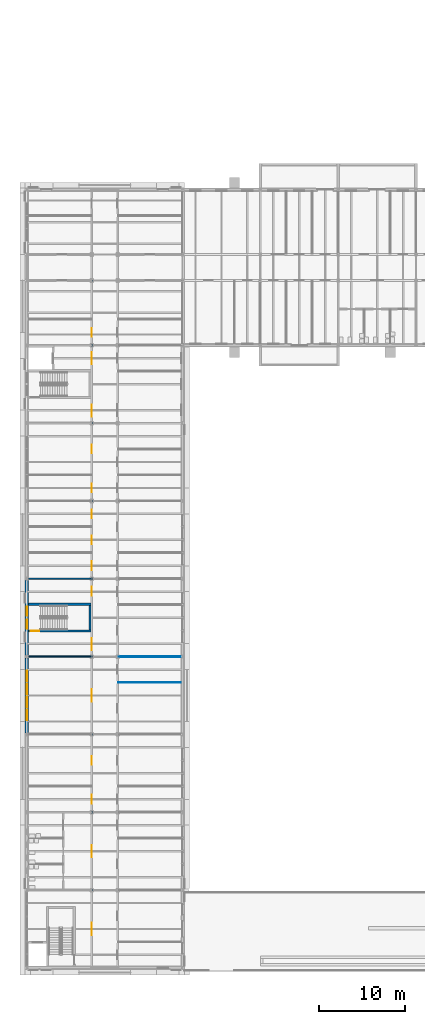
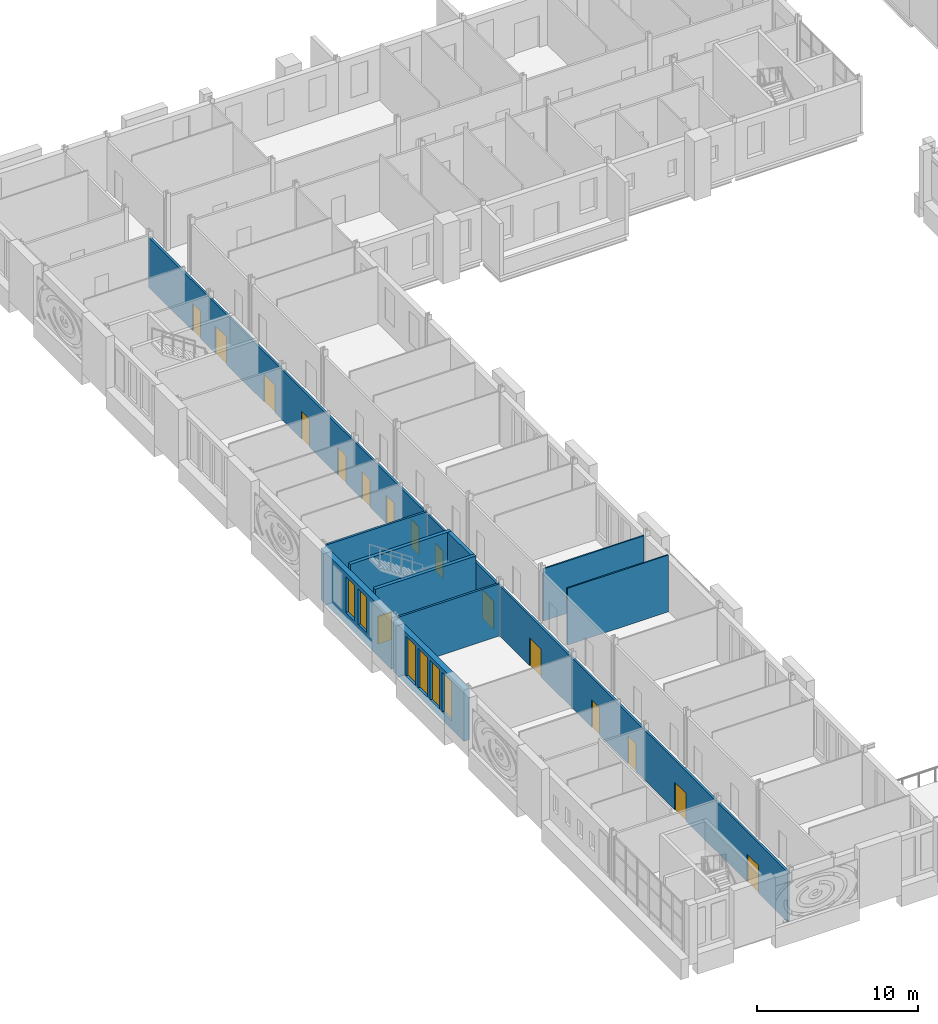
# One storey, part 71 of 134: 16 doors, 10 walls, 6 windows, 22 openings.
"""IFC4 building model written with IfcOpenShell, lengths in metres."""

from ifc_helpers import new_model, si_unit, direction, frame, frame_2d, origin, place, context, subcontext, project, spatial, rectangle, extrude, material, layer, layer_set, type_object, element, fill, save


model = new_model("IFC4")

# Units and contexts
model_context = context("Model", 3, precision=1e-05, world=origin(), true_north=direction((0.0, 1.0)))
body_context = subcontext(model_context, "Body", "Model", "MODEL_VIEW")
ifc_project = project(units=[si_unit("LENGTHUNIT", "METRE"), si_unit("AREAUNIT", "SQUARE_METRE"), si_unit("VOLUMEUNIT", "CUBIC_METRE"), si_unit("PLANEANGLEUNIT", "RADIAN"), si_unit("MASSUNIT", "GRAM", prefix="KILO")], contexts=[model_context])

# Site, building, storey
site_placement = place(None, origin())
site = spatial("IfcSite", under=ifc_project, at=site_placement, CompositionType="ELEMENT")
building_placement = place(site_placement, origin())
building = spatial("IfcBuilding", under=site, at=building_placement, Name="Golden Quay Civic Hall", CompositionType="ELEMENT")
storey_placement = place(building_placement, frame((0.0, 0.0, 5.39990234375)))
storey = spatial("IfcBuildingStorey", under=building, at=storey_placement, Name="L01", CompositionType="ELEMENT", Elevation=5.39990234375)

# Wall, opening, door
ifc_material_1 = material(Name="Concrete C40/50", Category="concrete")
ifc_layer_1 = layer(ifc_material_1, 0.25)
ifc_layer_set_1 = layer_set([ifc_layer_1], Name="Concrete core wall 250, Concrete C40/50")
wall_type_1 = type_object("IfcWallType", Name="Concrete core wall 250", PredefinedType="SHEAR", material=ifc_layer_set_1)
wall_1_placement = place(storey_placement, frame((0.199951171875, 29.949951171875, 0.0), z_axis=(0.0, 0.0, 1.0), x_axis=(1.0, 0.0, 0.0)))
wall_1 = element("IfcWall", 1, at=wall_1_placement, inside=storey, type_object=wall_type_1, Name="Core wall WO-M-W1", PredefinedType="SHEAR", context=body_context, shape_type="SweptSolid", body=[
    extrude(rectangle(XDim=7.22509765625, YDim=0.25, at=frame_2d((3.612548828125, 0.0))), origin(), (0.0, 0.0, 1.0), 4.300048828125),
])
opening_1_placement = place(wall_1_placement, frame((0.25, 0.0, 0.0)))
opening_1 = element("IfcOpeningElement", 2, at=opening_1_placement, cuts=wall_1, Name="Opening L01-D058", PredefinedType="OPENING", context=body_context, shape_type="SweptSolid", body=[
    extrude(rectangle(XDim=1.0, YDim=2.10009765625, at=frame_2d((0.5, 1.050048828125))), frame((0.0, 0.135009765625, 0.0), z_axis=(0.0, -1.0, 0.0), x_axis=(1.0, 0.0, 0.0)), (0.0, 0.0, 1.0), 0.27001953125),
])
ifc_material_2 = material(Name="Steel", Category="steel")
door_type_1 = type_object("IfcDoorType", Name="Steel fire door FD60 1000 x 2100", OperationType="SINGLE_SWING_LEFT", PredefinedType="DOOR", material=ifc_material_2)
door_1_placement = place(opening_1_placement, origin())
door_1 = element("IfcDoor", 3, at=door_1_placement, inside=storey, type_object=door_type_1, Name="Door L01-D058", OperationType="SINGLE_SWING_LEFT", OverallHeight=2.10009765625, OverallWidth=1.0, PredefinedType="DOOR", context=body_context, shape_type="SweptSolid", body=[
    extrude(rectangle(XDim=1.0, YDim=2.10009765625, at=frame_2d((0.5, 1.050048828125))), frame((0.0, 0.02490234375, 0.0), z_axis=(0.0, -1.0, 0.0), x_axis=(1.0, 0.0, 0.0)), (0.0, 0.0, 1.0), 0.050048828125),
])
fill(opening_1, door_1)

# Walls
wall_2_placement = place(storey_placement, frame((0.199951171875, 33.050048828125, 0.0), z_axis=(0.0, 0.0, 1.0), x_axis=(1.0, 0.0, 0.0)))
element("IfcWall", 4, at=wall_2_placement, inside=storey, type_object=wall_type_1, Name="Core wall WO-M-W2", PredefinedType="SHEAR", context=body_context, shape_type="SweptSolid", body=[
    extrude(rectangle(XDim=7.22509765625, YDim=0.25, at=frame_2d((3.612548828125, 0.0))), origin(), (0.0, 0.0, 1.0), 4.300048828125),
])
wall_3_placement = place(storey_placement, frame((7.300048828125, 30.074951171875, 0.0), z_axis=(0.0, 0.0, 1.0), x_axis=(0.0, 1.0, 0.0)))
element("IfcWall", 5, at=wall_3_placement, inside=storey, type_object=wall_type_1, Name="Core wall WO-M-W3", PredefinedType="SHEAR", context=body_context, shape_type="SweptSolid", body=[
    extrude(rectangle(XDim=2.85009765625, YDim=0.25, at=frame_2d((1.425048828125, 0.0))), origin(), (0.0, 0.0, 1.0), 4.300048828125),
])
ifc_material_3 = material(Name="Plasterboard on steel studs", Category="steel")
ifc_layer_2 = layer(ifc_material_3, 0.10009765625)
ifc_layer_set_2 = layer_set([ifc_layer_2], Name="Partition 100 stud")
wall_type_2 = type_object("IfcWallType", Name="Partition 100 stud", PredefinedType="PARTITIONING", material=ifc_layer_set_2)
wall_4_placement = place(storey_placement, frame((10.574951171875, 24.0, 0.0), z_axis=(0.0, 0.0, 1.0), x_axis=(1.0, 0.0, 0.0)))
element("IfcWall", 6, at=wall_4_placement, inside=storey, type_object=wall_type_2, Name="Partition L01-016", PredefinedType="PARTITIONING", context=body_context, shape_type="SweptSolid", body=[
    extrude(rectangle(XDim=7.22509765625, YDim=0.10009765625, at=frame_2d((3.612548828125, 0.0))), origin(), (0.0, 0.0, 1.0), 4.300048828125),
])
wall_5_placement = place(storey_placement, frame((10.574951171875, 27.0, 0.0), z_axis=(0.0, 0.0, 1.0), x_axis=(1.0, 0.0, 0.0)))
element("IfcWall", 7, at=wall_5_placement, inside=storey, type_object=wall_type_2, Name="Partition L01-017", PredefinedType="PARTITIONING", context=body_context, shape_type="SweptSolid", body=[
    extrude(rectangle(XDim=7.22509765625, YDim=0.10009765625, at=frame_2d((3.612548828125, 0.0))), origin(), (0.0, 0.0, 1.0), 3.9501953125),
])
ifc_material_4 = material(Name="Plasterboard on steel studs", Category="steel")
ifc_layer_3 = layer(ifc_material_4, 0.14990234375)
ifc_layer_set_3 = layer_set([ifc_layer_3], Name="Partition 150 stud fire EI 60")
wall_type_3 = type_object("IfcWallType", Name="Partition 150 stud fire EI 60", PredefinedType="PARTITIONING", material=ifc_layer_set_3)
for number, where, z_axis, x_axis, name in (
    (8, (0.199951171875, 27.0, 0.0), (0.0, 0.0, 1.0), (1.0, 0.0, 0.0), "Partition L01-003"),
    (9, (0.199951171875, 36.0, 0.0), (0.0, 0.0, 1.0), (1.0, 0.0, 0.0), "Partition L01-004"),
):
    element("IfcWall", number, at=place(storey_placement, frame(where, z_axis=z_axis, x_axis=x_axis)), inside=storey, type_object=wall_type_3, Name=name, PredefinedType="PARTITIONING", context=body_context, shape_type="SweptSolid", body=[
        extrude(rectangle(XDim=7.22509765625, YDim=0.14990234375, at=frame_2d((3.612548828125, 0.0))), origin(), (0.0, 0.0, 1.0), 3.9501953125),
    ])

# Wall, openings, doors
wall_6_placement = place(storey_placement, frame((7.5, -8.800048828125, 0.0), z_axis=(0.0, 0.0, 1.0), x_axis=(0.0, 1.0, 0.0)))
wall_6 = element("IfcWall", 10, at=wall_6_placement, inside=storey, type_object=wall_type_3, Name="Partition L01-027", PredefinedType="PARTITIONING", context=body_context, shape_type="SweptSolid", body=[
    extrude(rectangle(XDim=79.300048828125, YDim=0.14990234375, at=frame_2d((39.64990234375, 0.0))), origin(), (0.0, 0.0, 1.0), 3.780029296875),
])
opening_2_placement = place(wall_6_placement, frame((18.800048828125, 0.0, 0.0)))
opening_2 = element("IfcOpeningElement", 11, at=opening_2_placement, cuts=wall_6, Name="Opening L01-D024", PredefinedType="OPENING", context=body_context, shape_type="SweptSolid", body=[
    extrude(rectangle(XDim=1.0, YDim=2.10009765625, at=frame_2d((0.5, 1.050048828125))), frame((0.0, 0.0849609375, 0.0), z_axis=(0.0, -1.0, 0.0), x_axis=(1.0, 0.0, 0.0)), (0.0, 0.0, 1.0), 0.169921875),
])
opening_3_placement = place(wall_6_placement, frame((23.300048828125, 0.0, 0.0)))
opening_3 = element("IfcOpeningElement", 12, at=opening_3_placement, cuts=wall_6, Name="Opening L01-D025", PredefinedType="OPENING", context=body_context, shape_type="SweptSolid", body=[
    extrude(rectangle(XDim=1.0, YDim=2.10009765625, at=frame_2d((0.5, 1.050048828125))), frame((0.0, 0.0849609375, 0.0), z_axis=(0.0, -1.0, 0.0), x_axis=(1.0, 0.0, 0.0)), (0.0, 0.0, 1.0), 0.169921875),
])
opening_4_placement = place(wall_6_placement, frame((30.60009765625, 0.0, 0.0)))
opening_4 = element("IfcOpeningElement", 13, at=opening_4_placement, cuts=wall_6, Name="Opening L01-D026", PredefinedType="OPENING", context=body_context, shape_type="SweptSolid", body=[
    extrude(rectangle(XDim=1.39990234375, YDim=2.10009765625, at=frame_2d((0.699951171875, 1.050048828125))), frame((0.0, 0.0849609375, 0.0), z_axis=(0.0, -1.0, 0.0), x_axis=(1.0, 0.0, 0.0)), (0.0, 0.0, 1.0), 0.169921875),
])
opening_5_placement = place(wall_6_placement, frame((45.800048828125, 0.0, 0.0)))
opening_5 = element("IfcOpeningElement", 14, at=opening_5_placement, cuts=wall_6, Name="Opening L01-D027", PredefinedType="OPENING", context=body_context, shape_type="SweptSolid", body=[
    extrude(rectangle(XDim=1.0, YDim=2.10009765625, at=frame_2d((0.5, 1.050048828125))), frame((0.0, 0.0849609375, 0.0), z_axis=(0.0, -1.0, 0.0), x_axis=(1.0, 0.0, 0.0)), (0.0, 0.0, 1.0), 0.169921875),
])
opening_6_placement = place(wall_6_placement, frame((48.800048828125, 0.0, 0.0)))
opening_6 = element("IfcOpeningElement", 15, at=opening_6_placement, cuts=wall_6, Name="Opening L01-D028", PredefinedType="OPENING", context=body_context, shape_type="SweptSolid", body=[
    extrude(rectangle(XDim=1.0, YDim=2.10009765625, at=frame_2d((0.5, 1.050048828125))), frame((0.0, 0.0849609375, 0.0), z_axis=(0.0, -1.0, 0.0), x_axis=(1.0, 0.0, 0.0)), (0.0, 0.0, 1.0), 0.169921875),
])
opening_7_placement = place(wall_6_placement, frame((51.800048828125, 0.0, 0.0)))
opening_7 = element("IfcOpeningElement", 16, at=opening_7_placement, cuts=wall_6, Name="Opening L01-D029", PredefinedType="OPENING", context=body_context, shape_type="SweptSolid", body=[
    extrude(rectangle(XDim=1.0, YDim=2.10009765625, at=frame_2d((0.5, 1.050048828125))), frame((0.0, 0.0849609375, 0.0), z_axis=(0.0, -1.0, 0.0), x_axis=(1.0, 0.0, 0.0)), (0.0, 0.0, 1.0), 0.169921875),
])
opening_8_placement = place(wall_6_placement, frame((54.800048828125, 0.0, 0.0)))
opening_8 = element("IfcOpeningElement", 17, at=opening_8_placement, cuts=wall_6, Name="Opening L01-D030", PredefinedType="OPENING", context=body_context, shape_type="SweptSolid", body=[
    extrude(rectangle(XDim=1.0, YDim=2.10009765625, at=frame_2d((0.5, 1.050048828125))), frame((0.0, 0.0849609375, 0.0), z_axis=(0.0, -1.0, 0.0), x_axis=(1.0, 0.0, 0.0)), (0.0, 0.0, 1.0), 0.169921875),
])
opening_9_placement = place(wall_6_placement, frame((59.300048828125, 0.0, 0.0)))
opening_9 = element("IfcOpeningElement", 18, at=opening_9_placement, cuts=wall_6, Name="Opening L01-D031", PredefinedType="OPENING", context=body_context, shape_type="SweptSolid", body=[
    extrude(rectangle(XDim=1.0, YDim=2.10009765625, at=frame_2d((0.5, 1.050048828125))), frame((0.0, 0.0849609375, 0.0), z_axis=(0.0, -1.0, 0.0), x_axis=(1.0, 0.0, 0.0)), (0.0, 0.0, 1.0), 0.169921875),
])
opening_10_placement = place(wall_6_placement, frame((12.60009765625, 0.0, 0.0)))
opening_10 = element("IfcOpeningElement", 19, at=opening_10_placement, cuts=wall_6, Name="Opening L01-D048", PredefinedType="OPENING", context=body_context, shape_type="SweptSolid", body=[
    extrude(rectangle(XDim=1.39990234375, YDim=2.10009765625, at=frame_2d((0.699951171875, 1.050048828125))), frame((0.0, 0.0849609375, 0.0), z_axis=(0.0, -1.0, 0.0), x_axis=(1.0, 0.0, 0.0)), (0.0, 0.0, 1.0), 0.169921875),
])
opening_11_placement = place(wall_6_placement, frame((3.60009765625, 0.0, 0.0)))
opening_11 = element("IfcOpeningElement", 20, at=opening_11_placement, cuts=wall_6, Name="Opening L01-D053", PredefinedType="OPENING", context=body_context, shape_type="SweptSolid", body=[
    extrude(rectangle(XDim=1.39990234375, YDim=2.10009765625, at=frame_2d((0.699951171875, 1.050048828125))), frame((0.0, 0.0849609375, 0.0), z_axis=(0.0, -1.0, 0.0), x_axis=(1.0, 0.0, 0.0)), (0.0, 0.0, 1.0), 0.169921875),
])
opening_12_placement = place(wall_6_placement, frame((63.550048828125, 0.0, 0.0)))
opening_12 = element("IfcOpeningElement", 21, at=opening_12_placement, cuts=wall_6, Name="Opening L01-D055", PredefinedType="OPENING", context=body_context, shape_type="SweptSolid", body=[
    extrude(rectangle(XDim=1.39990234375, YDim=2.10009765625, at=frame_2d((0.699951171875, 1.050048828125))), frame((0.0, 0.0849609375, 0.0), z_axis=(0.0, -1.0, 0.0), x_axis=(1.0, 0.0, 0.0)), (0.0, 0.0, 1.0), 0.169921875),
])
opening_13_placement = place(wall_6_placement, frame((69.60009765625, 0.0, 0.0)))
opening_13 = element("IfcOpeningElement", 22, at=opening_13_placement, cuts=wall_6, Name="Opening L01-D056", PredefinedType="OPENING", context=body_context, shape_type="SweptSolid", body=[
    extrude(rectangle(XDim=1.39990234375, YDim=2.10009765625, at=frame_2d((0.699951171875, 1.050048828125))), frame((0.0, 0.0849609375, 0.0), z_axis=(0.0, -1.0, 0.0), x_axis=(1.0, 0.0, 0.0)), (0.0, 0.0, 1.0), 0.169921875),
])
opening_14_placement = place(wall_6_placement, frame((42.85009765625, 0.0, 0.0)))
opening_14 = element("IfcOpeningElement", 23, at=opening_14_placement, cuts=wall_6, Name="Opening L01-D057", PredefinedType="OPENING", context=body_context, shape_type="SweptSolid", body=[
    extrude(rectangle(XDim=1.0, YDim=2.10009765625, at=frame_2d((0.5, 1.050048828125))), frame((0.0, 0.0849609375, 0.0), z_axis=(0.0, -1.0, 0.0), x_axis=(1.0, 0.0, 0.0)), (0.0, 0.0, 1.0), 0.169921875),
])
opening_15_placement = place(wall_6_placement, frame((36.550048828125, 0.0, 0.0)))
opening_15 = element("IfcOpeningElement", 24, at=opening_15_placement, cuts=wall_6, Name="Opening L01-D059", PredefinedType="OPENING", context=body_context, shape_type="SweptSolid", body=[
    extrude(rectangle(XDim=1.39990234375, YDim=2.10009765625, at=frame_2d((0.699951171875, 1.050048828125))), frame((0.0, 0.0849609375, 0.0), z_axis=(0.0, -1.0, 0.0), x_axis=(1.0, 0.0, 0.0)), (0.0, 0.0, 1.0), 0.169921875),
])
opening_16_placement = place(wall_6_placement, frame((72.800048828125, 0.0, 0.0)))
opening_16 = element("IfcOpeningElement", 25, at=opening_16_placement, cuts=wall_6, Name="Opening L01-D060", PredefinedType="OPENING", context=body_context, shape_type="SweptSolid", body=[
    extrude(rectangle(XDim=1.0, YDim=2.10009765625, at=frame_2d((0.5, 1.050048828125))), frame((0.0, 0.0849609375, 0.0), z_axis=(0.0, -1.0, 0.0), x_axis=(1.0, 0.0, 0.0)), (0.0, 0.0, 1.0), 0.169921875),
])
ifc_material_5 = material(Name="Steel", Category="steel")
door_type_2 = type_object("IfcDoorType", Name="Steel double fire door FD30S 1400 x 2100", OperationType="DOUBLE_DOOR_SINGLE_SWING", PredefinedType="DOOR", material=ifc_material_5)
door_2_placement = place(opening_4_placement, origin())
door_2 = element("IfcDoor", 26, at=door_2_placement, inside=storey, type_object=door_type_2, Name="Door L01-D026", OperationType="DOUBLE_DOOR_SINGLE_SWING", OverallHeight=2.10009765625, OverallWidth=1.39990234375, PredefinedType="DOOR", context=body_context, shape_type="SweptSolid", body=[
    extrude(rectangle(XDim=1.39990234375, YDim=2.10009765625, at=frame_2d((0.699951171875, 1.050048828125))), frame((0.0, 0.02490234375, 0.0), z_axis=(0.0, -1.0, 0.0), x_axis=(1.0, 0.0, 0.0)), (0.0, 0.0, 1.0), 0.050048828125),
])
fill(opening_4, door_2)
door_3_placement = place(opening_10_placement, origin())
door_3 = element("IfcDoor", 27, at=door_3_placement, inside=storey, type_object=door_type_2, Name="Door L01-D048", OperationType="DOUBLE_DOOR_SINGLE_SWING", OverallHeight=2.10009765625, OverallWidth=1.39990234375, PredefinedType="DOOR", context=body_context, shape_type="SweptSolid", body=[
    extrude(rectangle(XDim=1.39990234375, YDim=2.10009765625, at=frame_2d((0.699951171875, 1.050048828125))), frame((0.0, 0.02490234375, 0.0), z_axis=(0.0, -1.0, 0.0), x_axis=(1.0, 0.0, 0.0)), (0.0, 0.0, 1.0), 0.050048828125),
])
fill(opening_10, door_3)
door_4_placement = place(opening_11_placement, frame((1.39990234375, 0.0, 0.0), z_axis=(0.0, 0.0, 1.0), x_axis=(-1.0, 0.0, 0.0)))
door_4 = element("IfcDoor", 28, at=door_4_placement, inside=storey, type_object=door_type_2, Name="Door L01-D053", OperationType="DOUBLE_DOOR_SINGLE_SWING", OverallHeight=2.10009765625, OverallWidth=1.39990234375, PredefinedType="DOOR", context=body_context, shape_type="SweptSolid", body=[
    extrude(rectangle(XDim=1.39990234375, YDim=2.10009765625, at=frame_2d((0.699951171875, 1.050048828125))), frame((0.0, 0.025146484375, 0.0), z_axis=(0.0, -1.0, 0.0), x_axis=(1.0, 0.0, 0.0)), (0.0, 0.0, 1.0), 0.050048828125),
])
fill(opening_11, door_4)
door_5_placement = place(opening_12_placement, frame((1.39990234375, 0.0, 0.0), z_axis=(0.0, 0.0, 1.0), x_axis=(-1.0, 0.0, 0.0)))
door_5 = element("IfcDoor", 29, at=door_5_placement, inside=storey, type_object=door_type_2, Name="Door L01-D055", OperationType="DOUBLE_DOOR_SINGLE_SWING", OverallHeight=2.10009765625, OverallWidth=1.39990234375, PredefinedType="DOOR", context=body_context, shape_type="SweptSolid", body=[
    extrude(rectangle(XDim=1.39990234375, YDim=2.10009765625, at=frame_2d((0.699951171875, 1.050048828125))), frame((0.0, 0.025146484375, 0.0), z_axis=(0.0, -1.0, 0.0), x_axis=(1.0, 0.0, 0.0)), (0.0, 0.0, 1.0), 0.050048828125),
])
fill(opening_12, door_5)
door_6_placement = place(opening_13_placement, frame((1.39990234375, 0.0, 0.0), z_axis=(0.0, 0.0, 1.0), x_axis=(-1.0, 0.0, 0.0)))
door_6 = element("IfcDoor", 30, at=door_6_placement, inside=storey, type_object=door_type_2, Name="Door L01-D056", OperationType="DOUBLE_DOOR_SINGLE_SWING", OverallHeight=2.10009765625, OverallWidth=1.39990234375, PredefinedType="DOOR", context=body_context, shape_type="SweptSolid", body=[
    extrude(rectangle(XDim=1.39990234375, YDim=2.10009765625, at=frame_2d((0.699951171875, 1.050048828125))), frame((0.0, 0.025146484375, 0.0), z_axis=(0.0, -1.0, 0.0), x_axis=(1.0, 0.0, 0.0)), (0.0, 0.0, 1.0), 0.050048828125),
])
fill(opening_13, door_6)
door_7_placement = place(opening_15_placement, frame((1.39990234375, 0.0, 0.0), z_axis=(0.0, 0.0, 1.0), x_axis=(-1.0, 0.0, 0.0)))
door_7 = element("IfcDoor", 31, at=door_7_placement, inside=storey, type_object=door_type_2, Name="Door L01-D059", OperationType="DOUBLE_DOOR_SINGLE_SWING", OverallHeight=2.10009765625, OverallWidth=1.39990234375, PredefinedType="DOOR", context=body_context, shape_type="SweptSolid", body=[
    extrude(rectangle(XDim=1.39990234375, YDim=2.10009765625, at=frame_2d((0.699951171875, 1.050048828125))), frame((0.0, 0.025146484375, 0.0), z_axis=(0.0, -1.0, 0.0), x_axis=(1.0, 0.0, 0.0)), (0.0, 0.0, 1.0), 0.050048828125),
])
fill(opening_15, door_7)
ifc_material_6 = material(Name="Steel", Category="steel")
door_type_3 = type_object("IfcDoorType", Name="Steel fire door FD30S 1000 x 2100", OperationType="SINGLE_SWING_LEFT", PredefinedType="DOOR", material=ifc_material_6)
door_8_placement = place(opening_2_placement, origin())
door_8 = element("IfcDoor", 32, at=door_8_placement, inside=storey, type_object=door_type_3, Name="Door L01-D024", OperationType="SINGLE_SWING_LEFT", OverallHeight=2.10009765625, OverallWidth=1.0, PredefinedType="DOOR", context=body_context, shape_type="SweptSolid", body=[
    extrude(rectangle(XDim=1.0, YDim=2.10009765625, at=frame_2d((0.5, 1.050048828125))), frame((0.0, 0.02490234375, 0.0), z_axis=(0.0, -1.0, 0.0), x_axis=(1.0, 0.0, 0.0)), (0.0, 0.0, 1.0), 0.050048828125),
])
fill(opening_2, door_8)
door_9_placement = place(opening_3_placement, origin())
door_9 = element("IfcDoor", 33, at=door_9_placement, inside=storey, type_object=door_type_3, Name="Door L01-D025", OperationType="SINGLE_SWING_LEFT", OverallHeight=2.10009765625, OverallWidth=1.0, PredefinedType="DOOR", context=body_context, shape_type="SweptSolid", body=[
    extrude(rectangle(XDim=1.0, YDim=2.10009765625, at=frame_2d((0.5, 1.050048828125))), frame((0.0, 0.02490234375, 0.0), z_axis=(0.0, -1.0, 0.0), x_axis=(1.0, 0.0, 0.0)), (0.0, 0.0, 1.0), 0.050048828125),
])
fill(opening_3, door_9)
door_10_placement = place(opening_5_placement, origin())
door_10 = element("IfcDoor", 34, at=door_10_placement, inside=storey, type_object=door_type_3, Name="Door L01-D027", OperationType="SINGLE_SWING_LEFT", OverallHeight=2.10009765625, OverallWidth=1.0, PredefinedType="DOOR", context=body_context, shape_type="SweptSolid", body=[
    extrude(rectangle(XDim=1.0, YDim=2.10009765625, at=frame_2d((0.5, 1.050048828125))), frame((0.0, 0.02490234375, 0.0), z_axis=(0.0, -1.0, 0.0), x_axis=(1.0, 0.0, 0.0)), (0.0, 0.0, 1.0), 0.050048828125),
])
fill(opening_5, door_10)
door_11_placement = place(opening_6_placement, origin())
door_11 = element("IfcDoor", 35, at=door_11_placement, inside=storey, type_object=door_type_3, Name="Door L01-D028", OperationType="SINGLE_SWING_LEFT", OverallHeight=2.10009765625, OverallWidth=1.0, PredefinedType="DOOR", context=body_context, shape_type="SweptSolid", body=[
    extrude(rectangle(XDim=1.0, YDim=2.10009765625, at=frame_2d((0.5, 1.050048828125))), frame((0.0, 0.02490234375, 0.0), z_axis=(0.0, -1.0, 0.0), x_axis=(1.0, 0.0, 0.0)), (0.0, 0.0, 1.0), 0.050048828125),
])
fill(opening_6, door_11)
door_12_placement = place(opening_7_placement, origin())
door_12 = element("IfcDoor", 36, at=door_12_placement, inside=storey, type_object=door_type_3, Name="Door L01-D029", OperationType="SINGLE_SWING_LEFT", OverallHeight=2.10009765625, OverallWidth=1.0, PredefinedType="DOOR", context=body_context, shape_type="SweptSolid", body=[
    extrude(rectangle(XDim=1.0, YDim=2.10009765625, at=frame_2d((0.5, 1.050048828125))), frame((0.0, 0.02490234375, 0.0), z_axis=(0.0, -1.0, 0.0), x_axis=(1.0, 0.0, 0.0)), (0.0, 0.0, 1.0), 0.050048828125),
])
fill(opening_7, door_12)
door_13_placement = place(opening_8_placement, origin())
door_13 = element("IfcDoor", 37, at=door_13_placement, inside=storey, type_object=door_type_3, Name="Door L01-D030", OperationType="SINGLE_SWING_LEFT", OverallHeight=2.10009765625, OverallWidth=1.0, PredefinedType="DOOR", context=body_context, shape_type="SweptSolid", body=[
    extrude(rectangle(XDim=1.0, YDim=2.10009765625, at=frame_2d((0.5, 1.050048828125))), frame((0.0, 0.02490234375, 0.0), z_axis=(0.0, -1.0, 0.0), x_axis=(1.0, 0.0, 0.0)), (0.0, 0.0, 1.0), 0.050048828125),
])
fill(opening_8, door_13)
door_14_placement = place(opening_9_placement, origin())
door_14 = element("IfcDoor", 38, at=door_14_placement, inside=storey, type_object=door_type_3, Name="Door L01-D031", OperationType="SINGLE_SWING_LEFT", OverallHeight=2.10009765625, OverallWidth=1.0, PredefinedType="DOOR", context=body_context, shape_type="SweptSolid", body=[
    extrude(rectangle(XDim=1.0, YDim=2.10009765625, at=frame_2d((0.5, 1.050048828125))), frame((0.0, 0.02490234375, 0.0), z_axis=(0.0, -1.0, 0.0), x_axis=(1.0, 0.0, 0.0)), (0.0, 0.0, 1.0), 0.050048828125),
])
fill(opening_9, door_14)
door_15_placement = place(opening_14_placement, origin())
door_15 = element("IfcDoor", 39, at=door_15_placement, inside=storey, type_object=door_type_3, Name="Door L01-D057", OperationType="SINGLE_SWING_LEFT", OverallHeight=2.10009765625, OverallWidth=1.0, PredefinedType="DOOR", context=body_context, shape_type="SweptSolid", body=[
    extrude(rectangle(XDim=1.0, YDim=2.10009765625, at=frame_2d((0.5, 1.050048828125))), frame((0.0, 0.02490234375, 0.0), z_axis=(0.0, -1.0, 0.0), x_axis=(1.0, 0.0, 0.0)), (0.0, 0.0, 1.0), 0.050048828125),
])
fill(opening_14, door_15)
door_16_placement = place(opening_16_placement, origin())
door_16 = element("IfcDoor", 40, at=door_16_placement, inside=storey, type_object=door_type_3, Name="Door L01-D060", OperationType="SINGLE_SWING_LEFT", OverallHeight=2.10009765625, OverallWidth=1.0, PredefinedType="DOOR", context=body_context, shape_type="SweptSolid", body=[
    extrude(rectangle(XDim=1.0, YDim=2.10009765625, at=frame_2d((0.5, 1.050048828125))), frame((0.0, 0.02490234375, 0.0), z_axis=(0.0, -1.0, 0.0), x_axis=(1.0, 0.0, 0.0)), (0.0, 0.0, 1.0), 0.050048828125),
])
fill(opening_16, door_16)

# Wall, openings, windows
ifc_material_7 = material(Name="Clay block, rendered, cream")
ifc_layer_4 = layer(ifc_material_7, 0.39990234375)
ifc_layer_set_4 = layer_set([ifc_layer_4], Name="Rendered block external wall 400")
wall_type_4 = type_object("IfcWallType", Name="Rendered block external wall 400", PredefinedType="STANDARD", material=ifc_layer_set_4)
wall_7_placement = place(storey_placement, frame((0.0, 18.14990234375, 0.0), z_axis=(0.0, 0.0, 1.0), x_axis=(0.0, 1.0, 0.0)))
wall_7 = element("IfcWall", 41, at=wall_7_placement, inside=storey, type_object=wall_type_4, Name="Rendered block external wall 400 L01 3", PredefinedType="STANDARD", context=body_context, shape_type="SweptSolid", body=[
    extrude(rectangle(XDim=8.7001953125, YDim=0.39990234375, at=frame_2d((4.35009765625, 0.0))), origin(), (0.0, 0.0, 1.0), 3.900146484375),
])
opening_17_placement = place(wall_7_placement, frame((1.5, 0.0, 0.60009765625)))
opening_17 = element("IfcOpeningElement", 42, at=opening_17_placement, cuts=wall_7, Name="Opening WN5", PredefinedType="OPENING", context=body_context, shape_type="SweptSolid", body=[
    extrude(rectangle(XDim=1.199951171875, YDim=3.0, at=frame_2d((0.60009765625, 1.5))), frame((0.0, 0.2099609375, 0.0), z_axis=(0.0, -1.0, 0.0), x_axis=(1.0, 0.0, 0.0)), (0.0, 0.0, 1.0), 0.419921875),
])
opening_18_placement = place(wall_7_placement, frame((3.0, 0.0, 0.60009765625)))
opening_18 = element("IfcOpeningElement", 43, at=opening_18_placement, cuts=wall_7, Name="Opening WN5", PredefinedType="OPENING", context=body_context, shape_type="SweptSolid", body=[
    extrude(rectangle(XDim=1.199951171875, YDim=3.0, at=frame_2d((0.60009765625, 1.5))), frame((0.0, 0.2099609375, 0.0), z_axis=(0.0, -1.0, 0.0), x_axis=(1.0, 0.0, 0.0)), (0.0, 0.0, 1.0), 0.419921875),
])
opening_19_placement = place(wall_7_placement, frame((4.5, 0.0, 0.60009765625)))
opening_19 = element("IfcOpeningElement", 44, at=opening_19_placement, cuts=wall_7, Name="Opening WN5", PredefinedType="OPENING", context=body_context, shape_type="SweptSolid", body=[
    extrude(rectangle(XDim=1.199951171875, YDim=3.0, at=frame_2d((0.60009765625, 1.5))), frame((0.0, 0.2099609375, 0.0), z_axis=(0.0, -1.0, 0.0), x_axis=(1.0, 0.0, 0.0)), (0.0, 0.0, 1.0), 0.419921875),
])
opening_20_placement = place(wall_7_placement, frame((6.0, 0.0, 0.60009765625)))
opening_20 = element("IfcOpeningElement", 45, at=opening_20_placement, cuts=wall_7, Name="Opening WN5", PredefinedType="OPENING", context=body_context, shape_type="SweptSolid", body=[
    extrude(rectangle(XDim=1.199951171875, YDim=3.0, at=frame_2d((0.60009765625, 1.5))), frame((0.0, 0.2099609375, 0.0), z_axis=(0.0, -1.0, 0.0), x_axis=(1.0, 0.0, 0.0)), (0.0, 0.0, 1.0), 0.419921875),
])
ifc_material_8 = material(Name="Aluminium frame, double glazed", Category="aluminium")
window_type_1 = type_object("IfcWindowType", Name="Golden grid window 1200 x 3000", PartitioningType="SINGLE_PANEL", PredefinedType="WINDOW", material=ifc_material_8)
window_1_placement = place(opening_17_placement, origin())
window_1 = element("IfcWindow", 46, at=window_1_placement, inside=storey, type_object=window_type_1, Name="Golden grid window 1200 x 3000 L01 1", OverallHeight=3.0, OverallWidth=1.199951171875, PartitioningType="SINGLE_PANEL", PredefinedType="WINDOW", context=body_context, shape_type="SweptSolid", body=[
    extrude(rectangle(XDim=1.199951171875, YDim=3.0, at=frame_2d((0.60009765625, 1.5))), frame((0.0, 0.030029296875, 0.0), z_axis=(0.0, -1.0, 0.0), x_axis=(1.0, 0.0, 0.0)), (0.0, 0.0, 1.0), 0.06005859375),
])
fill(opening_17, window_1)
window_2_placement = place(opening_18_placement, origin())
window_2 = element("IfcWindow", 47, at=window_2_placement, inside=storey, type_object=window_type_1, Name="Golden grid window 1200 x 3000 L01 2", OverallHeight=3.0, OverallWidth=1.199951171875, PartitioningType="SINGLE_PANEL", PredefinedType="WINDOW", context=body_context, shape_type="SweptSolid", body=[
    extrude(rectangle(XDim=1.199951171875, YDim=3.0, at=frame_2d((0.60009765625, 1.5))), frame((0.0, 0.030029296875, 0.0), z_axis=(0.0, -1.0, 0.0), x_axis=(1.0, 0.0, 0.0)), (0.0, 0.0, 1.0), 0.06005859375),
])
fill(opening_18, window_2)
window_3_placement = place(opening_19_placement, origin())
window_3 = element("IfcWindow", 48, at=window_3_placement, inside=storey, type_object=window_type_1, Name="Golden grid window 1200 x 3000 L01 3", OverallHeight=3.0, OverallWidth=1.199951171875, PartitioningType="SINGLE_PANEL", PredefinedType="WINDOW", context=body_context, shape_type="SweptSolid", body=[
    extrude(rectangle(XDim=1.199951171875, YDim=3.0, at=frame_2d((0.60009765625, 1.5))), frame((0.0, 0.030029296875, 0.0), z_axis=(0.0, -1.0, 0.0), x_axis=(1.0, 0.0, 0.0)), (0.0, 0.0, 1.0), 0.06005859375),
])
fill(opening_19, window_3)
window_4_placement = place(opening_20_placement, origin())
window_4 = element("IfcWindow", 49, at=window_4_placement, inside=storey, type_object=window_type_1, Name="Golden grid window 1200 x 3000 L01 4", OverallHeight=3.0, OverallWidth=1.199951171875, PartitioningType="SINGLE_PANEL", PredefinedType="WINDOW", context=body_context, shape_type="SweptSolid", body=[
    extrude(rectangle(XDim=1.199951171875, YDim=3.0, at=frame_2d((0.60009765625, 1.5))), frame((0.0, 0.030029296875, 0.0), z_axis=(0.0, -1.0, 0.0), x_axis=(1.0, 0.0, 0.0)), (0.0, 0.0, 1.0), 0.06005859375),
])
fill(opening_20, window_4)

ifc_material_9 = material(Name="Clay block, rendered, cream")
ifc_layer_5 = layer(ifc_material_9, 0.39990234375)
ifc_layer_set_5 = layer_set([ifc_layer_5], Name="Rendered block external wall 400 fire EI 60")
wall_type_5 = type_object("IfcWallType", Name="Rendered block external wall 400 fire EI 60", PredefinedType="STANDARD", material=ifc_layer_set_5)
wall_8_placement = place(storey_placement, frame((0.0, 27.14990234375, 0.0), z_axis=(0.0, 0.0, 1.0), x_axis=(0.0, 1.0, 0.0)))
wall_8 = element("IfcWall", 50, at=wall_8_placement, inside=storey, type_object=wall_type_5, Name="Rendered block external wall 400 fire EI 60 L01 1", PredefinedType="STANDARD", context=body_context, shape_type="SweptSolid", body=[
    extrude(rectangle(XDim=8.7001953125, YDim=0.39990234375, at=frame_2d((4.35009765625, 0.0))), origin(), (0.0, 0.0, 1.0), 3.900146484375),
])
opening_21_placement = place(wall_8_placement, frame((3.074951171875, 0.0, 0.89990234375)))
opening_21 = element("IfcOpeningElement", 51, at=opening_21_placement, cuts=wall_8, Name="Opening WN6", PredefinedType="OPENING", context=body_context, shape_type="SweptSolid", body=[
    extrude(rectangle(XDim=1.050048828125, YDim=2.699951171875, at=frame_2d((0.52490234375, 1.35009765625))), frame((0.0, 0.2099609375, 0.0), z_axis=(0.0, -1.0, 0.0), x_axis=(1.0, 0.0, 0.0)), (0.0, 0.0, 1.0), 0.419921875),
])
opening_22_placement = place(wall_8_placement, frame((4.574951171875, 0.0, 0.89990234375)))
opening_22 = element("IfcOpeningElement", 52, at=opening_22_placement, cuts=wall_8, Name="Opening WN6", PredefinedType="OPENING", context=body_context, shape_type="SweptSolid", body=[
    extrude(rectangle(XDim=1.050048828125, YDim=2.699951171875, at=frame_2d((0.52490234375, 1.35009765625))), frame((0.0, 0.2099609375, 0.0), z_axis=(0.0, -1.0, 0.0), x_axis=(1.0, 0.0, 0.0)), (0.0, 0.0, 1.0), 0.419921875),
])
ifc_material_10 = material(Name="Aluminium frame, double glazed", Category="aluminium")
window_type_2 = type_object("IfcWindowType", Name="Stair light window 1050 x 2700", PartitioningType="SINGLE_PANEL", PredefinedType="WINDOW", material=ifc_material_10)
window_5_placement = place(opening_21_placement, origin())
window_5 = element("IfcWindow", 53, at=window_5_placement, inside=storey, type_object=window_type_2, Name="Stair light window 1050 x 2700 L01 1", OverallHeight=2.699951171875, OverallWidth=1.050048828125, PartitioningType="SINGLE_PANEL", PredefinedType="WINDOW", context=body_context, shape_type="SweptSolid", body=[
    extrude(rectangle(XDim=1.050048828125, YDim=2.699951171875, at=frame_2d((0.52490234375, 1.35009765625))), frame((0.0, 0.030029296875, 0.0), z_axis=(0.0, -1.0, 0.0), x_axis=(1.0, 0.0, 0.0)), (0.0, 0.0, 1.0), 0.06005859375),
])
fill(opening_21, window_5)
window_6_placement = place(opening_22_placement, origin())
window_6 = element("IfcWindow", 54, at=window_6_placement, inside=storey, type_object=window_type_2, Name="Stair light window 1050 x 2700 L01 2", OverallHeight=2.699951171875, OverallWidth=1.050048828125, PartitioningType="SINGLE_PANEL", PredefinedType="WINDOW", context=body_context, shape_type="SweptSolid", body=[
    extrude(rectangle(XDim=1.050048828125, YDim=2.699951171875, at=frame_2d((0.52490234375, 1.35009765625))), frame((0.0, 0.030029296875, 0.0), z_axis=(0.0, -1.0, 0.0), x_axis=(1.0, 0.0, 0.0)), (0.0, 0.0, 1.0), 0.06005859375),
])
fill(opening_22, window_6)

save(model, "model.ifc")
